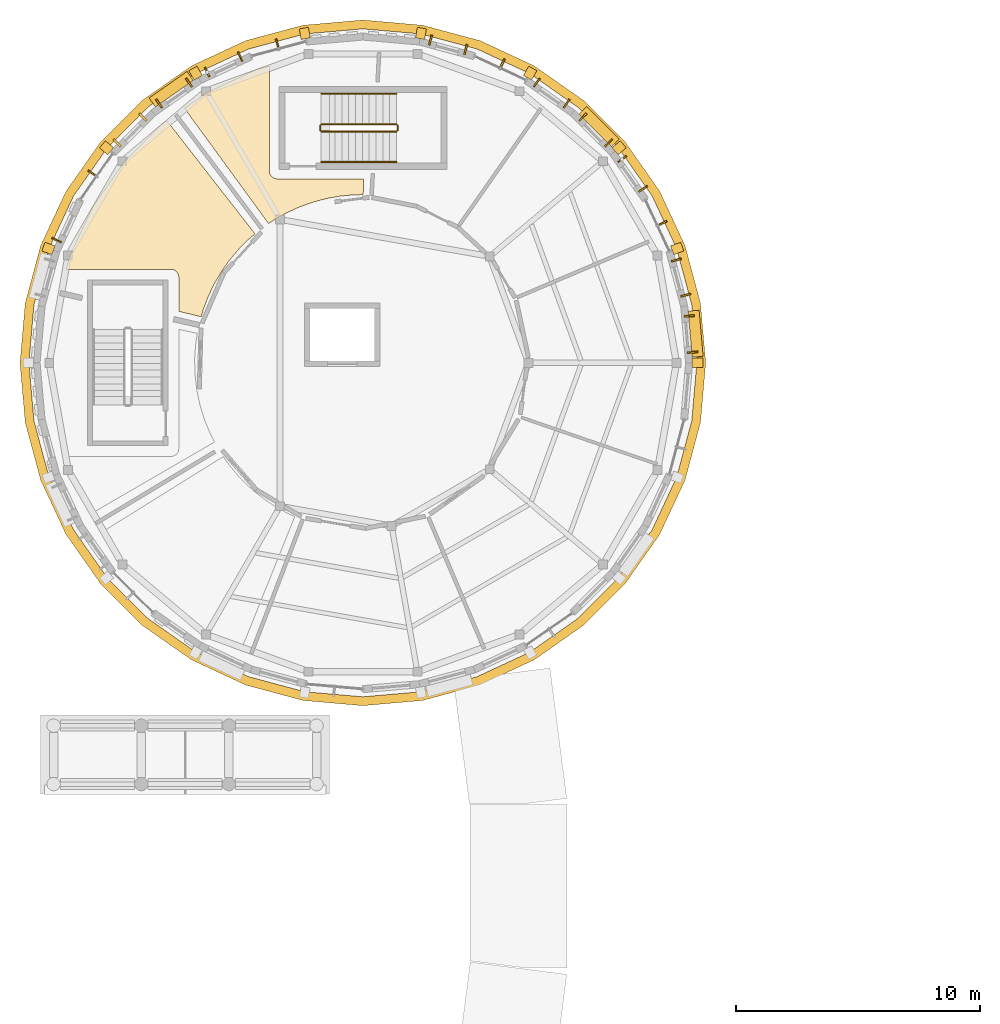
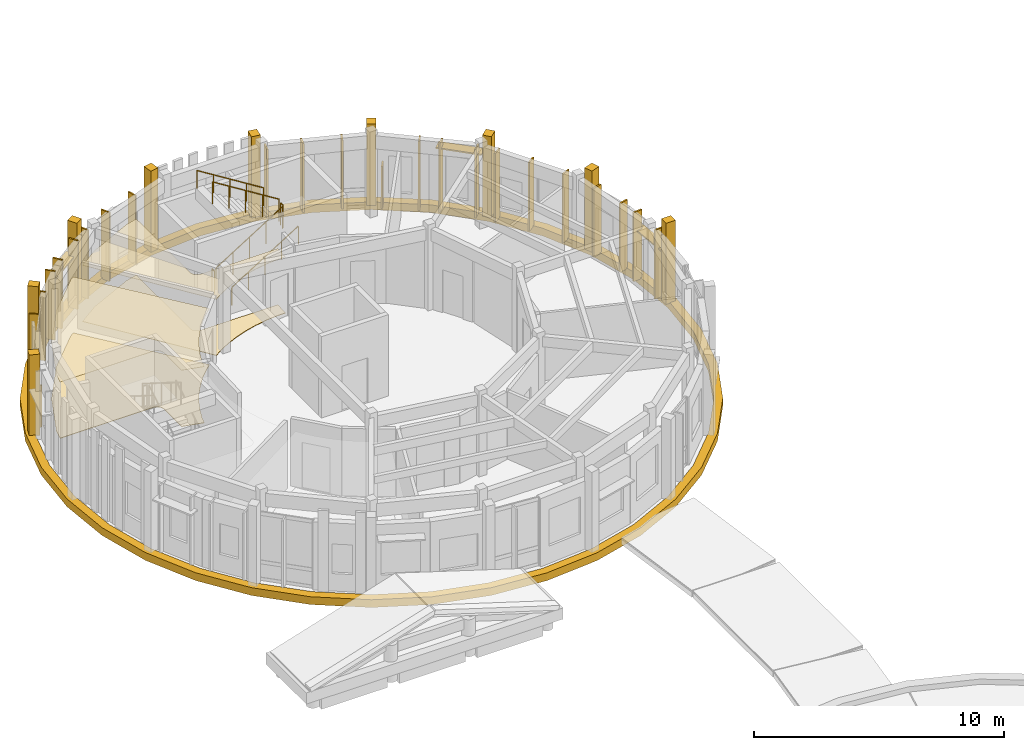
# One storey, part 54 of 58: 26 shading devices, 14 coverings, 6 railings.
"""IFC4 building model written with IfcOpenShell, lengths in metres."""

from ifc_helpers import new_model, si_unit, direction, frame, origin, origin_2d, place, context, subcontext, project, spatial, polyline, rectangle, circle, outline, extrude, material, layer, layer_set, type_object, element, save


model = new_model("IFC4")

# Units and contexts
model_context = context("Model", 3, precision=1e-05, world=origin(), true_north=direction((0.0, 1.0)))
body_context = subcontext(model_context, "Body", "Model", "MODEL_VIEW")
ifc_project = project(units=[si_unit("LENGTHUNIT", "METRE"), si_unit("AREAUNIT", "SQUARE_METRE"), si_unit("VOLUMEUNIT", "CUBIC_METRE"), si_unit("PLANEANGLEUNIT", "RADIAN"), si_unit("MASSUNIT", "GRAM", prefix="KILO")], contexts=[model_context])

# Site, building, storey
site_placement = place(None, origin())
site = spatial("IfcSite", under=ifc_project, at=site_placement, CompositionType="ELEMENT")
building_placement = place(site_placement, origin())
building = spatial("IfcBuilding", under=site, at=building_placement, Name="Aldenvaro Health Centre", CompositionType="ELEMENT")
storey_placement = place(building_placement, frame((0.0, 0.0, 8.75)))
storey = spatial("IfcBuildingStorey", under=building, at=storey_placement, Name="L02", CompositionType="ELEMENT", Elevation=8.75)

# Coverings
ifc_material_1 = material(Name="Antimicrobial Mineral Fibre Ceiling")
ifc_layer_1 = layer(ifc_material_1, 0.01806640625, Name="Antimicrobial Mineral Fibre Ceiling")
ifc_layer_set_1 = layer_set([ifc_layer_1], Name="Antimicrobial Mineral Fibre Ceiling")
covering_type_1 = type_object("IfcCoveringType", Name="COV-CLG-ACT18", PredefinedType="CEILING", material=ifc_layer_set_1)
covering_1_placement = place(storey_placement, frame((0.0, 0.0, 2.75)))
element("IfcCovering", 1, at=covering_1_placement, inside=storey, type_object=covering_type_1, Name="D4-L02-R01 Suspended Ceiling", PredefinedType="CEILING", context=body_context, shape_type="SweptSolid", body=[
    extrude(outline(polyline([(18.18798828125, 106.403076171875), (18.16796875, 106.402099609375), (17.614013671875, 106.35302734375), (17.593994140625, 106.35009765625), (17.047119140625, 106.2548828125), (17.027099609375, 106.2509765625), (16.489013671875, 106.111083984375), (16.469970703125, 106.10498046875), (15.946044921875, 105.919921875), (15.927001953125, 105.9130859375), (15.419921875, 105.68603515625), (15.403076171875, 105.677001953125), (14.916015625, 105.407958984375), (14.89892578125, 105.39697265625), (14.6279296875, 105.217041015625), (11.1708984375, 109.9580078125), (12.091064453125, 110.60205078125), (14.115966796875, 111.5458984375), (14.659912109375, 111.69189453125), (14.659912109375, 107.3798828125), (14.659912109375, 107.367919921875), (14.660888671875, 107.360107421875), (14.6630859375, 107.3369140625), (14.6640625, 107.3291015625), (14.6689453125, 107.305908203125), (14.6708984375, 107.298095703125), (14.677001953125, 107.27587890625), (14.679931640625, 107.26904296875), (14.68896484375, 107.2470703125), (14.69189453125, 107.239990234375), (14.7041015625, 107.218994140625), (14.7080078125, 107.2119140625), (14.720947265625, 107.193115234375), (14.72509765625, 107.18603515625), (14.739990234375, 107.16796875), (14.74609375, 107.162109375), (14.761962890625, 107.14599609375), (14.76806640625, 107.139892578125), (14.785888671875, 107.125), (14.79296875, 107.12109375), (14.81201171875, 107.10791015625), (14.819091796875, 107.10400390625), (14.840087890625, 107.092041015625), (14.846923828125, 107.089111328125), (14.868896484375, 107.080078125), (14.8759765625, 107.076904296875), (14.89794921875, 107.071044921875), (14.906005859375, 107.069091796875), (14.928955078125, 107.06396484375), (14.93701171875, 107.06298828125), (14.9599609375, 107.06103515625), (14.968017578125, 107.06005859375), (14.97998046875, 107.06005859375), (18.537109375, 107.06005859375), (18.512939453125, 106.404052734375), (18.18798828125, 106.403076171875)])), origin(), (0.0, 0.0, 1.0), 0.01806640625),
])
covering_2_placement = place(storey_placement, frame((0.0, 0.0, 2.75)))
element("IfcCovering", 2, at=covering_2_placement, inside=storey, type_object=covering_type_1, Name="D4-L02-R02 Suspended Ceiling", PredefinedType="CEILING", context=body_context, shape_type="SweptSolid", body=[
    extrude(outline(polyline([(13.823974609375, 104.5869140625), (13.80908203125, 104.572998046875), (13.416015625, 104.179931640625), (13.403076171875, 104.1650390625), (13.0439453125, 103.740966796875), (13.031982421875, 103.72509765625), (12.7099609375, 103.27197265625), (12.699951171875, 103.2548828125), (12.4169921875, 102.777099609375), (12.406982421875, 102.759033203125), (12.1650390625, 102.259033203125), (12.156982421875, 102.240966796875), (11.95703125, 101.721923828125), (11.950927734375, 101.702880859375), (11.860107421875, 101.39111328125), (10.93994140625, 101.617919921875), (10.93994140625, 103.02001953125), (10.93994140625, 103.031982421875), (10.93896484375, 103.0400390625), (10.93701171875, 103.06298828125), (10.93603515625, 103.071044921875), (10.930908203125, 103.093994140625), (10.928955078125, 103.10205078125), (10.923095703125, 103.1240234375), (10.919921875, 103.131103515625), (10.910888671875, 103.153076171875), (10.907958984375, 103.159912109375), (10.89599609375, 103.180908203125), (10.89208984375, 103.18798828125), (10.87890625, 103.20703125), (10.875, 103.214111328125), (10.860107421875, 103.23193359375), (10.85400390625, 103.238037109375), (10.837890625, 103.25390625), (10.83203125, 103.260009765625), (10.81396484375, 103.27490234375), (10.806884765625, 103.279052734375), (10.7880859375, 103.2919921875), (10.781005859375, 103.2958984375), (10.760009765625, 103.30810546875), (10.7529296875, 103.31103515625), (10.73095703125, 103.320068359375), (10.72412109375, 103.322998046875), (10.701904296875, 103.3291015625), (10.694091796875, 103.3310546875), (10.6708984375, 103.3359375), (10.6630859375, 103.3369140625), (10.639892578125, 103.339111328125), (10.632080078125, 103.340087890625), (10.6201171875, 103.340087890625), (6.30810546875, 103.340087890625), (6.4541015625, 103.884033203125), (7.39794921875, 105.908935546875), (8.679931640625, 107.739990234375), (10.260009765625, 109.320068359375), (10.448974609375, 109.451904296875), (14.072021484375, 104.797119140625), (13.823974609375, 104.5869140625)])), origin(), (0.0, 0.0, 1.0), 0.01806640625),
])
ifc_material_2 = material(Name="Honed Sonoran Buff Limestone", Category="masonry")
ifc_layer_2 = layer(ifc_material_2, 0.280029296875, Name="Honed Sonoran Buff Limestone", Category="masonry")
ifc_layer_set_2 = layer_set([ifc_layer_2], Name="Honed Sonoran Buff Limestone")
covering_type_2 = type_object("IfcCoveringType", Name="COV-CRN-STN", PredefinedType="CLADDING", material=ifc_layer_set_2)
covering_3_placement = place(storey_placement, frame((0.0, 0.0, -0.340087890625)))
element("IfcCovering", 3, at=covering_3_placement, inside=storey, type_object=covering_type_2, Name="D4 L02 Classical Stone Entablature Cornice 1", PredefinedType="CLADDING", context=body_context, shape_type="SweptSolid", body=[
    extrude(outline(polyline([(32.580078125, 99.5), (32.365966796875, 101.945068359375), (31.73095703125, 104.31591796875), (30.694091796875, 106.5400390625), (29.285888671875, 108.550048828125), (27.550048828125, 110.285888671875), (25.5400390625, 111.694091796875), (23.31591796875, 112.73095703125), (20.945068359375, 113.365966796875), (18.5, 113.580078125), (16.054931640625, 113.365966796875), (13.68408203125, 112.73095703125), (11.4599609375, 111.694091796875), (9.449951171875, 110.285888671875), (7.714111328125, 108.550048828125), (6.305908203125, 106.5400390625), (5.26904296875, 104.31591796875), (4.634033203125, 101.945068359375), (4.419921875, 99.5), (4.634033203125, 97.054931640625), (5.26904296875, 94.68408203125), (6.305908203125, 92.4599609375), (7.714111328125, 90.449951171875), (9.449951171875, 88.714111328125), (11.4599609375, 87.305908203125), (13.68408203125, 86.26904296875), (16.054931640625, 85.634033203125), (18.5, 85.419921875), (20.945068359375, 85.634033203125), (23.31591796875, 86.26904296875), (25.5400390625, 87.305908203125), (27.550048828125, 88.714111328125), (29.285888671875, 90.449951171875), (30.694091796875, 92.4599609375), (31.73095703125, 94.68408203125), (32.365966796875, 97.054931640625), (32.580078125, 99.5)]), holes=[polyline([(32.215087890625, 99.5), (32.007080078125, 97.117919921875), (31.387939453125, 94.80908203125), (30.3779296875, 92.64208984375), (29.006103515625, 90.68408203125), (27.31591796875, 88.993896484375), (25.35791015625, 87.6220703125), (23.19091796875, 86.612060546875), (20.882080078125, 85.992919921875), (18.5, 85.784912109375), (16.117919921875, 85.992919921875), (13.80908203125, 86.612060546875), (11.64208984375, 87.6220703125), (9.68408203125, 88.993896484375), (7.993896484375, 90.68408203125), (6.6220703125, 92.64208984375), (5.612060546875, 94.80908203125), (4.992919921875, 97.117919921875), (4.784912109375, 99.5), (4.992919921875, 101.882080078125), (5.612060546875, 104.19091796875), (6.6220703125, 106.35791015625), (7.993896484375, 108.31591796875), (9.68408203125, 110.006103515625), (11.64306640625, 111.3779296875), (13.80908203125, 112.387939453125), (16.117919921875, 113.007080078125), (18.5, 113.215087890625), (20.882080078125, 113.007080078125), (23.19091796875, 112.387939453125), (25.35791015625, 111.3779296875), (27.31591796875, 110.006103515625), (29.006103515625, 108.31591796875), (30.3779296875, 106.35791015625), (31.387939453125, 104.19091796875), (32.007080078125, 101.882080078125), (32.215087890625, 99.5)])]), origin(), (0.0, 0.0, 1.0), 0.380126953125),
])
for number, where, z_axis, x_axis, name in (
    (4, (32.239990234375, 99.5, 0.00048828125), (0.0, 0.0, 1.0), (1.0, 0.0, 0.0), "D4 L02 Engaged Classical Limestone Pilaster 01"),
    (5, (5.589111328125, 104.198974609375, 0.00048828125), (0.0, 0.0, 1.0), (-0.939695335552, 0.342012684476, 0.0), "D4 L02 Engaged Classical Limestone Pilaster 11"),
    (6, (7.97412109375, 108.33203125, 0.00048828125), (0.0, 0.0, 1.0), (-0.766057587935, 0.642771943979, 0.0), "D4 L02 Engaged Classical Limestone Pilaster 12"),
    (7, (11.6298828125, 111.39892578125, 0.00048828125), (0.0, 0.0, 1.0), (-0.499991611653, 0.866030246745, 0.0), "D4 L02 Engaged Classical Limestone Pilaster 13"),
    (8, (16.114013671875, 113.031005859375, 0.00048828125), (0.0, 0.0, 1.0), (-0.173661868999, 0.984805338763, 0.0), "D4 L02 Engaged Classical Limestone Pilaster 14"),
    (9, (20.885986328125, 113.031005859375, 0.00048828125), (0.0, 0.0, 1.0), (0.173661868999, 0.984805338763, 0.0), "D4 L02 Engaged Classical Limestone Pilaster 15"),
    (10, (25.3701171875, 111.39892578125, 0.00048828125), (0.0, 0.0, 1.0), (0.499991611653, 0.866030246745, 0.0), "D4 L02 Engaged Classical Limestone Pilaster 16"),
    (11, (29.02587890625, 108.33203125, 0.00048828125), (0.0, 0.0, 1.0), (0.766057587935, 0.642771943979, 0.0), "D4 L02 Engaged Classical Limestone Pilaster 17"),
    (12, (31.410888671875, 104.198974609375, 0.00048828125), (0.0, 0.0, 1.0), (0.939695335552, 0.342012684476, 0.0), "D4 L02 Engaged Classical Limestone Pilaster 18"),
):
    element("IfcCovering", number, at=place(storey_placement, frame(where, z_axis=z_axis, x_axis=x_axis)), inside=storey, type_object=covering_type_2, Name=name, PredefinedType="CLADDING", context=body_context, shape_type="SweptSolid", body=[
        extrude(rectangle(XDim=0.43994140625, YDim=0.3798828125, at=origin_2d()), origin(), (0.0, 0.0, 1.0), 3.97509765625),
    ])
ifc_material_3 = material(Name="Polished Epoxy Terrazzo Flooring")
ifc_layer_3 = layer(ifc_material_3, 0.02197265625, Name="Polished Epoxy Terrazzo Flooring")
ifc_layer_set_3 = layer_set([ifc_layer_3], Name="Polished Epoxy Terrazzo Flooring")
covering_type_3 = type_object("IfcCoveringType", Name="COV-FLR-TER22", PredefinedType="FLOORING", material=ifc_layer_set_3)
covering_4_placement = place(storey_placement, origin())
element("IfcCovering", 13, at=covering_4_placement, inside=storey, type_object=covering_type_3, Name="D4-L02-R01 Flooring", PredefinedType="FLOORING", context=body_context, shape_type="SweptSolid", body=[
    extrude(outline(polyline([(18.18798828125, 106.403076171875), (18.16796875, 106.402099609375), (17.614013671875, 106.35302734375), (17.593994140625, 106.35009765625), (17.047119140625, 106.2548828125), (17.027099609375, 106.2509765625), (16.489013671875, 106.111083984375), (16.469970703125, 106.10498046875), (15.946044921875, 105.919921875), (15.927001953125, 105.9130859375), (15.419921875, 105.68603515625), (15.403076171875, 105.677001953125), (14.916015625, 105.407958984375), (14.89892578125, 105.39697265625), (14.6279296875, 105.217041015625), (11.1708984375, 109.9580078125), (12.091064453125, 110.60205078125), (14.115966796875, 111.5458984375), (14.659912109375, 111.69189453125), (14.659912109375, 107.3798828125), (14.659912109375, 107.367919921875), (14.660888671875, 107.360107421875), (14.6630859375, 107.3369140625), (14.6640625, 107.3291015625), (14.6689453125, 107.305908203125), (14.6708984375, 107.298095703125), (14.677001953125, 107.27587890625), (14.679931640625, 107.26904296875), (14.68896484375, 107.2470703125), (14.69189453125, 107.239990234375), (14.7041015625, 107.218994140625), (14.7080078125, 107.2119140625), (14.720947265625, 107.193115234375), (14.72509765625, 107.18603515625), (14.739990234375, 107.16796875), (14.74609375, 107.162109375), (14.761962890625, 107.14599609375), (14.76806640625, 107.139892578125), (14.785888671875, 107.125), (14.79296875, 107.12109375), (14.81201171875, 107.10791015625), (14.819091796875, 107.10400390625), (14.840087890625, 107.092041015625), (14.846923828125, 107.089111328125), (14.868896484375, 107.080078125), (14.8759765625, 107.076904296875), (14.89794921875, 107.071044921875), (14.906005859375, 107.069091796875), (14.928955078125, 107.06396484375), (14.93701171875, 107.06298828125), (14.9599609375, 107.06103515625), (14.968017578125, 107.06005859375), (14.97998046875, 107.06005859375), (18.537109375, 107.06005859375), (18.512939453125, 106.404052734375), (18.18798828125, 106.403076171875)])), origin(), (0.0, 0.0, 1.0), 0.02197265625),
])
covering_5_placement = place(storey_placement, origin())
element("IfcCovering", 14, at=covering_5_placement, inside=storey, type_object=covering_type_3, Name="D4-L02-R02 Flooring", PredefinedType="FLOORING", context=body_context, shape_type="SweptSolid", body=[
    extrude(outline(polyline([(13.823974609375, 104.5869140625), (13.80908203125, 104.572998046875), (13.416015625, 104.179931640625), (13.403076171875, 104.1650390625), (13.0439453125, 103.740966796875), (13.031982421875, 103.72509765625), (12.7099609375, 103.27197265625), (12.699951171875, 103.2548828125), (12.4169921875, 102.777099609375), (12.406982421875, 102.759033203125), (12.1650390625, 102.259033203125), (12.156982421875, 102.240966796875), (11.95703125, 101.721923828125), (11.950927734375, 101.702880859375), (11.860107421875, 101.39111328125), (10.93994140625, 101.617919921875), (10.93994140625, 103.02001953125), (10.93994140625, 103.031982421875), (10.93896484375, 103.0400390625), (10.93701171875, 103.06298828125), (10.93603515625, 103.071044921875), (10.930908203125, 103.093994140625), (10.928955078125, 103.10205078125), (10.923095703125, 103.1240234375), (10.919921875, 103.131103515625), (10.910888671875, 103.153076171875), (10.907958984375, 103.159912109375), (10.89599609375, 103.180908203125), (10.89208984375, 103.18798828125), (10.87890625, 103.20703125), (10.875, 103.214111328125), (10.860107421875, 103.23193359375), (10.85400390625, 103.238037109375), (10.837890625, 103.25390625), (10.83203125, 103.260009765625), (10.81396484375, 103.27490234375), (10.806884765625, 103.279052734375), (10.7880859375, 103.2919921875), (10.781005859375, 103.2958984375), (10.760009765625, 103.30810546875), (10.7529296875, 103.31103515625), (10.73095703125, 103.320068359375), (10.72412109375, 103.322998046875), (10.701904296875, 103.3291015625), (10.694091796875, 103.3310546875), (10.6708984375, 103.3359375), (10.6630859375, 103.3369140625), (10.639892578125, 103.339111328125), (10.632080078125, 103.340087890625), (10.6201171875, 103.340087890625), (6.30810546875, 103.340087890625), (6.4541015625, 103.884033203125), (7.39794921875, 105.908935546875), (8.679931640625, 107.739990234375), (10.260009765625, 109.320068359375), (10.448974609375, 109.451904296875), (14.072021484375, 104.797119140625), (13.823974609375, 104.5869140625)])), origin(), (0.0, 0.0, 1.0), 0.02197265625),
])

# Railings
ifc_material_4 = material(Name="Painted Architectural Steel", Category="steel")
railing_type_1 = type_object("IfcRailingType", Name="RL-BAL-INT", PredefinedType="BALUSTRADE", material=ifc_material_4)
railing_1_placement = place(storey_placement, frame((16.800048828125, 109.0, 0.175048828125)))
element("IfcRailing", 15, at=railing_1_placement, inside=storey, type_object=railing_type_1, Name="L02 ST-07 stair guard 1", PredefinedType="BALUSTRADE", context=body_context, shape_type="SweptSolid", body=[
    extrude(circle(Radius=0.02392578125, at=origin_2d()), frame((0.0, 0.0, 1.076171875), z_axis=(0.847979421464, 0.0, 0.530029150871), x_axis=(0.0, 1.0, 0.0)), (0.0, 0.0, 1.0), 3.632080078125),
    extrude(circle(Radius=0.02099609375, at=origin_2d()), origin(), (0.0, 0.0, 1.0), 1.052001953125),
    extrude(circle(Radius=0.02099609375, at=origin_2d()), frame((0.77001953125, 0.0, 0.481201171875)), (0.0, 0.0, 1.0), 1.052001953125),
    extrude(circle(Radius=0.02099609375, at=origin_2d()), frame((1.5400390625, 0.0, 0.96240234375)), (0.0, 0.0, 1.0), 1.052001953125),
    extrude(circle(Radius=0.02099609375, at=origin_2d()), frame((2.309814453125, 0.0, 1.44384765625)), (0.0, 0.0, 1.0), 1.052001953125),
    extrude(circle(Radius=0.02099609375, at=origin_2d()), frame((3.079833984375, 0.0, 1.925048828125)), (0.0, 0.0, 1.0), 1.052001953125),
])
railing_2_placement = place(storey_placement, frame((19.929931640625, 109.050048828125, 2.10009765625)))
element("IfcRailing", 16, at=railing_2_placement, inside=storey, type_object=railing_type_1, Name="L02 ST-07 stair guard 2", PredefinedType="BALUSTRADE", context=body_context, shape_type="SweptSolid", body=[
    extrude(circle(Radius=0.02392578125, at=origin_2d()), frame((0.0, 0.0, 1.076171875), z_axis=(0.0, 1.0, 0.0), x_axis=(-1.0, 0.0, 0.0)), (0.0, 0.0, 1.0), 0.199951171875),
    extrude(circle(Radius=0.02099609375, at=origin_2d()), origin(), (0.0, 0.0, 1.0), 1.052001953125),
    extrude(circle(Radius=0.02099609375, at=origin_2d()), frame((0.0, 0.199951171875, 0.0)), (0.0, 0.0, 1.0), 1.052001953125),
])
railing_3_placement = place(storey_placement, frame((19.8798828125, 109.300048828125, 2.27490234375)))
element("IfcRailing", 17, at=railing_3_placement, inside=storey, type_object=railing_type_1, Name="L02 ST-07 stair guard 3", PredefinedType="BALUSTRADE", context=body_context, shape_type="SweptSolid", body=[
    extrude(circle(Radius=0.02392578125, at=origin_2d()), frame((0.0, 0.0, 1.076171875), z_axis=(-0.847979421464, 0.0, 0.530029150871), x_axis=(0.0, -1.0, 0.0)), (0.0, 0.0, 1.0), 3.632080078125),
    extrude(circle(Radius=0.02099609375, at=origin_2d()), origin(), (0.0, 0.0, 1.0), 1.052001953125),
    extrude(circle(Radius=0.02099609375, at=origin_2d()), frame((-0.77001953125, 0.0, 0.481201171875)), (0.0, 0.0, 1.0), 1.052001953125),
    extrude(circle(Radius=0.02099609375, at=origin_2d()), frame((-1.5400390625, 0.0, 0.96240234375)), (0.0, 0.0, 1.0), 1.052001953125),
    extrude(circle(Radius=0.02099609375, at=origin_2d()), frame((-2.309814453125, 0.0, 1.44384765625)), (0.0, 0.0, 1.0), 1.052001953125),
    extrude(circle(Radius=0.02099609375, at=origin_2d()), frame((-3.079833984375, 0.0, 1.925048828125)), (0.0, 0.0, 1.0), 1.052001953125),
])
railing_4_placement = place(storey_placement, frame((16.75, 109.050048828125, 0.0)))
element("IfcRailing", 18, at=railing_4_placement, inside=storey, type_object=railing_type_1, Name="L02 ST-07 stair guard 4", PredefinedType="BALUSTRADE", context=body_context, shape_type="SweptSolid", body=[
    extrude(circle(Radius=0.02392578125, at=origin_2d()), frame((0.0, 0.0, 1.076171875), z_axis=(0.0, 1.0, 0.0), x_axis=(-1.0, 0.0, 0.0)), (0.0, 0.0, 1.0), 0.199951171875),
    extrude(circle(Radius=0.02099609375, at=origin_2d()), origin(), (0.0, 0.0, 1.0), 1.052001953125),
    extrude(circle(Radius=0.02099609375, at=origin_2d()), frame((0.0, 0.199951171875, 0.0)), (0.0, 0.0, 1.0), 1.052001953125),
])
railing_type_2 = type_object("IfcRailingType", Name="RL-HND-INT", PredefinedType="HANDRAIL", material=ifc_material_4)
railing_5_placement = place(storey_placement, frame((16.800048828125, 107.75, 0.175048828125)))
element("IfcRailing", 19, at=railing_5_placement, inside=storey, type_object=railing_type_2, Name="L02 ST-07 stair handrail 1", PredefinedType="HANDRAIL", context=body_context, shape_type="SweptSolid", body=[
    extrude(circle(Radius=0.02392578125, at=origin_2d()), frame((0.0, 0.0, 0.8759765625), z_axis=(0.847979421464, 0.0, 0.530029150871), x_axis=(0.0, 1.0, 0.0)), (0.0, 0.0, 1.0), 3.632080078125),
    extrude(circle(Radius=0.02099609375, at=origin_2d()), origin(), (0.0, 0.0, 1.0), 0.851806640625),
    extrude(circle(Radius=0.02099609375, at=origin_2d()), frame((0.77001953125, 0.0, 0.481201171875)), (0.0, 0.0, 1.0), 0.851806640625),
    extrude(circle(Radius=0.02099609375, at=origin_2d()), frame((1.5400390625, 0.0, 0.96240234375)), (0.0, 0.0, 1.0), 0.851806640625),
    extrude(circle(Radius=0.02099609375, at=origin_2d()), frame((2.309814453125, 0.0, 1.44384765625)), (0.0, 0.0, 1.0), 0.851806640625),
    extrude(circle(Radius=0.02099609375, at=origin_2d()), frame((3.079833984375, 0.0, 1.925048828125)), (0.0, 0.0, 1.0), 0.851806640625),
])
railing_6_placement = place(storey_placement, frame((19.8798828125, 110.550048828125, 2.27490234375)))
element("IfcRailing", 20, at=railing_6_placement, inside=storey, type_object=railing_type_2, Name="L02 ST-07 stair handrail 2", PredefinedType="HANDRAIL", context=body_context, shape_type="SweptSolid", body=[
    extrude(circle(Radius=0.02392578125, at=origin_2d()), frame((0.0, 0.0, 0.8759765625), z_axis=(-0.847979421464, 0.0, 0.530029150871), x_axis=(0.0, -1.0, 0.0)), (0.0, 0.0, 1.0), 3.632080078125),
    extrude(circle(Radius=0.02099609375, at=origin_2d()), origin(), (0.0, 0.0, 1.0), 0.851806640625),
    extrude(circle(Radius=0.02099609375, at=origin_2d()), frame((-0.77001953125, 0.0, 0.481201171875)), (0.0, 0.0, 1.0), 0.851806640625),
    extrude(circle(Radius=0.02099609375, at=origin_2d()), frame((-1.5400390625, 0.0, 0.96240234375)), (0.0, 0.0, 1.0), 0.851806640625),
    extrude(circle(Radius=0.02099609375, at=origin_2d()), frame((-2.309814453125, 0.0, 1.44384765625)), (0.0, 0.0, 1.0), 0.851806640625),
    extrude(circle(Radius=0.02099609375, at=origin_2d()), frame((-3.079833984375, 0.0, 1.925048828125)), (0.0, 0.0, 1.0), 0.851806640625),
])

# Shading devices
ifc_material_5 = material(Name="Douglas Fir Exterior Glulam GL28h", Category="wood")
shading_device_type_1 = type_object("IfcShadingDeviceType", Name="SHD-FIN-205", PredefinedType="USERDEFINED", material=ifc_material_5)
for number, where, z_axis, x_axis, name in (
    (21, (5.927001953125, 104.5380859375, -0.02001953125), (0.0, 0.0, 1.0), (0.422557314215, 0.90633620484, 0.0), "D4 L02 Douglas fir fin 21.1"),
    (22, (25.64404296875, 111.007080078125, -0.02001953125), (0.0, 0.0, 1.0), (0.819050849853, -0.573720929857, 0.0), "D4 L02 Douglas fir fin 31.1"),
):
    element("IfcShadingDevice", number, at=place(storey_placement, frame(where, z_axis=z_axis, x_axis=x_axis)), inside=storey, type_object=shading_device_type_1, Name=name, ObjectType="FIN", PredefinedType="USERDEFINED", context=body_context, shape_type="SweptSolid", body=[
        extrude(rectangle(XDim=0.06494140625, YDim=0.419921875, at=origin_2d()), origin(), (0.0, 0.0, 1.0), 2.050048828125),
    ])
shading_device_type_2 = type_object("IfcShadingDeviceType", Name="SHD-FIN-340", PredefinedType="USERDEFINED", material=ifc_material_5)
for number, where, z_axis, x_axis, name in (
    (23, (10.131103515625, 110.14892578125, -0.01953125), (0.0, 0.0, 1.0), (0.819050849853, 0.573720929857, 0.0), "D4 L02 Douglas fir fin 24.1"),
    (24, (11.35595703125, 111.007080078125, -0.01953125), (0.0, 0.0, 1.0), (0.819050849853, 0.573720929857, 0.0), "D4 L02 Douglas fir fin 24.3"),
    (25, (24.22998046875, 111.7890625, -0.01953125), (0.0, 0.0, 1.0), (0.90633620484, -0.422557314215, 0.0), "D4 L02 vertical timber fin 30.0"),
    (26, (31.906982421875, 101.424072265625, -0.01953125), (0.0, 0.0, 1.0), (0.087331575855, -0.996179299052, 0.0), "D4 L02 Douglas fir fin 36.1"),
    (27, (32.0380859375, 99.93408203125, -0.01953125), (0.0, 0.0, 1.0), (0.087331575855, -0.996179299052, 0.0), "D4 L02 Douglas fir fin 36.3"),
):
    element("IfcShadingDevice", number, at=place(storey_placement, frame(where, z_axis=z_axis, x_axis=x_axis)), inside=storey, type_object=shading_device_type_2, Name=name, ObjectType="FIN", PredefinedType="USERDEFINED", context=body_context, shape_type="SweptSolid", body=[
        extrude(rectangle(XDim=0.074951171875, YDim=0.419921875, at=origin_2d()), origin(), (0.0, 0.0, 1.0), 3.368896484375),
    ])
shading_device_type_3 = type_object("IfcShadingDeviceType", Name="SHD-FIN-380", PredefinedType="USERDEFINED", material=ifc_material_5)
for number, where, z_axis, x_axis, name in (
    (28, (8.407958984375, 108.533935546875, -0.01953125), (0.0, 0.0, 1.0), (0.707106781187, 0.707106781187, 0.0), "D4 L02 Douglas fir fin 23.1"),
    (29, (9.466064453125, 109.592041015625, -0.01953125), (0.0, 0.0, 1.0), (0.707106781187, 0.707106781187, 0.0), "D4 L02 Douglas fir fin 23.3"),
    (30, (21.278076171875, 112.756103515625, -0.01953125), (0.0, 0.0, 1.0), (0.965978620089, -0.258621935517, 0.0), "D4 L02 Douglas fir fin 29.1"),
    (31, (22.722900390625, 112.3701171875, -0.01953125), (0.0, 0.0, 1.0), (0.965978620089, -0.258621935517, 0.0), "D4 L02 Douglas fir fin 29.3"),
    (32, (31.3701171875, 103.722900390625, -0.01953125), (0.0, 0.0, 1.0), (0.258621935517, -0.965978620089, 0.0), "D4 L02 Douglas fir fin 35.1"),
    (33, (31.756103515625, 102.278076171875, -0.01953125), (0.0, 0.0, 1.0), (0.258621935517, -0.965978620089, 0.0), "D4 L02 Douglas fir fin 35.3"),
):
    element("IfcShadingDevice", number, at=place(storey_placement, frame(where, z_axis=z_axis, x_axis=x_axis)), inside=storey, type_object=shading_device_type_3, Name=name, ObjectType="FIN", PredefinedType="USERDEFINED", context=body_context, shape_type="SweptSolid", body=[
        extrude(rectangle(XDim=0.074951171875, YDim=0.419921875, at=origin_2d()), origin(), (0.0, 0.0, 1.0), 3.368896484375),
    ])
shading_device_type_4 = type_object("IfcShadingDeviceType", Name="SHD-FIN-400", PredefinedType="USERDEFINED", material=ifc_material_5)
for number, where, z_axis, x_axis, name in (
    (34, (7.39306640625, 107.277099609375, -0.01953125), (0.0, 0.0, 1.0), (0.573720929857, 0.819050849853, 0.0), "D4 L02 vertical timber fin 22.0"),
    (35, (30.7890625, 105.22998046875, -0.01953125), (0.0, 0.0, 1.0), (0.422557314215, -0.90633620484, 0.0), "D4 L02 vertical timber fin 34.0"),
):
    element("IfcShadingDevice", number, at=place(storey_placement, frame(where, z_axis=z_axis, x_axis=x_axis)), inside=storey, type_object=shading_device_type_4, Name=name, ObjectType="FIN", PredefinedType="USERDEFINED", context=body_context, shape_type="SweptSolid", body=[
        extrude(rectangle(XDim=0.06494140625, YDim=0.419921875, at=origin_2d()), origin(), (0.0, 0.0, 1.0), 3.368896484375),
    ])
shading_device_type_5 = type_object("IfcShadingDeviceType", Name="SHD-FIN-420", PredefinedType="USERDEFINED", material=ifc_material_5)
for number, where, z_axis, x_axis, name in (
    (36, (29.14892578125, 107.868896484375, -0.01953125), (0.0, 0.0, 1.0), (0.573720929857, -0.819050849853, 0.0), "D4 L02 Douglas fir fin 33.1"),
    (37, (30.007080078125, 106.64404296875, -0.01953125), (0.0, 0.0, 1.0), (0.573720929857, -0.819050849853, 0.0), "D4 L02 Douglas fir fin 33.3"),
):
    element("IfcShadingDevice", number, at=place(storey_placement, frame(where, z_axis=z_axis, x_axis=x_axis)), inside=storey, type_object=shading_device_type_5, Name=name, ObjectType="FIN", PredefinedType="USERDEFINED", context=body_context, shape_type="SweptSolid", body=[
        extrude(rectangle(XDim=0.06494140625, YDim=0.419921875, at=origin_2d()), origin(), (0.0, 0.0, 1.0), 3.368896484375),
    ])
shading_device_type_6 = type_object("IfcShadingDeviceType", Name="SHD-FIN-435", PredefinedType="USERDEFINED", material=ifc_material_5)
for number, where, z_axis, x_axis, name in (
    (38, (14.990966796875, 112.596923828125, -0.01953125), (0.0, 0.0, 1.0), (0.965978620089, 0.258621935517, 0.0), "D4 L02 vertical timber fin 26.0"),
    (39, (27.533935546875, 109.592041015625, -0.01953125), (0.0, 0.0, 1.0), (0.707106781187, -0.707106781187, 0.0), "D4 L02 Douglas fir fin 32.1"),
    (40, (28.592041015625, 108.533935546875, -0.01953125), (0.0, 0.0, 1.0), (0.707106781187, -0.707106781187, 0.0), "D4 L02 Douglas fir fin 32.3"),
):
    element("IfcShadingDevice", number, at=place(storey_placement, frame(where, z_axis=z_axis, x_axis=x_axis)), inside=storey, type_object=shading_device_type_6, Name=name, ObjectType="FIN", PredefinedType="USERDEFINED", context=body_context, shape_type="SweptSolid", body=[
        extrude(rectangle(XDim=0.06494140625, YDim=0.419921875, at=origin_2d()), origin(), (0.0, 0.0, 1.0), 3.368896484375),
    ])
shading_device_type_7 = type_object("IfcShadingDeviceType", Name="SHD-FIN-455", PredefinedType="USERDEFINED", material=ifc_material_5)
for number, where, z_axis, x_axis, name in (
    (41, (12.10693359375, 111.44091796875, -0.01953125), (0.0, 0.0, 1.0), (0.90633620484, 0.422557314215, 0.0), "D4 L02 Douglas fir fin 25.1"),
    (42, (13.4619140625, 112.072998046875, -0.01953125), (0.0, 0.0, 1.0), (0.90633620484, 0.422557314215, 0.0), "D4 L02 Douglas fir fin 25.3"),
    (43, (26.868896484375, 110.14892578125, -0.01953125), (0.0, 0.0, 1.0), (0.819050849853, -0.573720929857, 0.0), "D4 L02 Douglas fir fin 31.3"),
):
    element("IfcShadingDevice", number, at=place(storey_placement, frame(where, z_axis=z_axis, x_axis=x_axis)), inside=storey, type_object=shading_device_type_7, Name=name, ObjectType="FIN", PredefinedType="USERDEFINED", context=body_context, shape_type="SweptSolid", body=[
        extrude(rectangle(XDim=0.06494140625, YDim=0.419921875, at=origin_2d()), origin(), (0.0, 0.0, 1.0), 3.368896484375),
    ])
shading_device_type_8 = type_object("IfcShadingDeviceType", Name="SHD-LVR-190", PredefinedType="JALOUSIE", material=ifc_material_5)
for number, where, z_axis, x_axis, name in (
    (44, (10.631103515625, 110.738037109375, 2.447509765625), (0.0, 0.0, 1.0), (0.819050849853, 0.573720929857, 0.0), "D4 L02 horizontal solar louvre 24"),
    (45, (28.200927734375, 109.200927734375, 2.947509765625), (0.0, 0.0, 1.0), (0.707106781187, -0.707106781187, 0.0), "D4 L02 horizontal solar louvre 32"),
    (46, (32.1669921875, 100.696044921875, 2.347412109375), (0.0, 0.0, 1.0), (0.087331575855, -0.996179299052, 0.0), "D4 L02 horizontal solar louvre 36"),
):
    element("IfcShadingDevice", number, at=place(storey_placement, frame(where, z_axis=z_axis, x_axis=x_axis)), inside=storey, type_object=shading_device_type_8, Name=name, PredefinedType="JALOUSIE", context=body_context, shape_type="SweptSolid", body=[
        extrude(rectangle(XDim=1.89990234375, YDim=0.449951171875, at=origin_2d()), origin(), (0.0, 0.0, 1.0), 0.06494140625),
    ])

save(model, "model.ifc")
